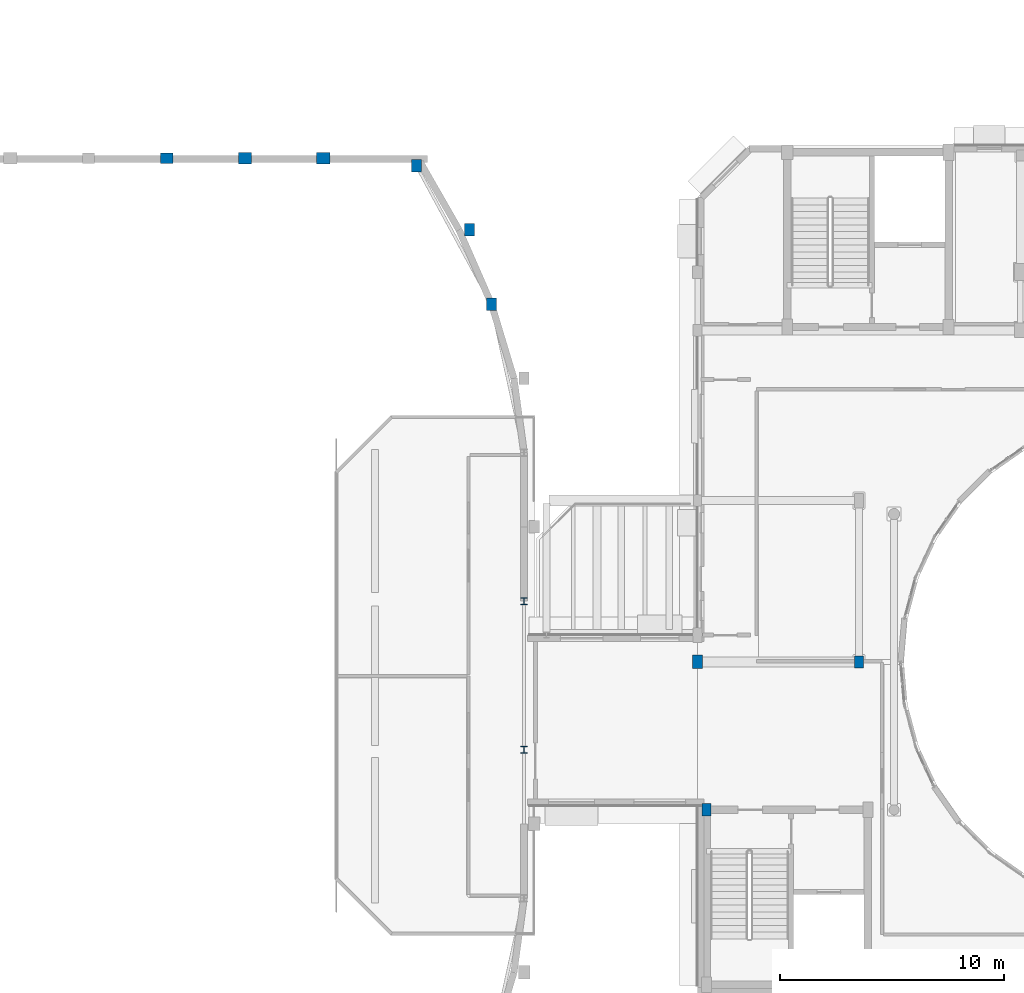
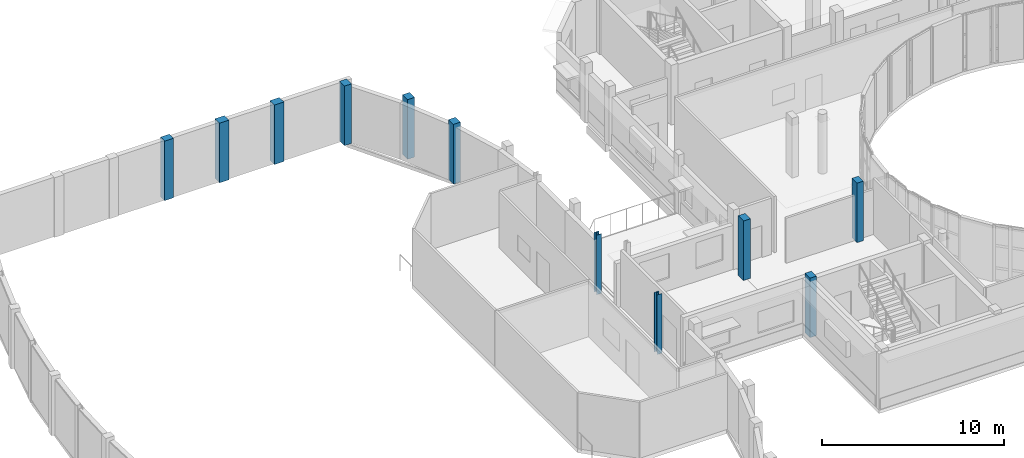
# One storey, part 5 of 92: 11 columns.
"""IFC4 building model written with IfcOpenShell, lengths in metres."""

from ifc_helpers import new_model, si_unit, direction, frame, origin, origin_2d, place, context, subcontext, project, spatial, rectangle, i_section, extrude, material, material_profile, profile_set, type_object, element, save


model = new_model("IFC4")

# Units and contexts
model_context = context("Model", 3, precision=1e-05, world=origin(), true_north=direction((0.0, 1.0)))
body_context = subcontext(model_context, "Body", "Model", "MODEL_VIEW")
ifc_project = project(units=[si_unit("LENGTHUNIT", "METRE"), si_unit("AREAUNIT", "SQUARE_METRE"), si_unit("VOLUMEUNIT", "CUBIC_METRE"), si_unit("PLANEANGLEUNIT", "RADIAN"), si_unit("MASSUNIT", "GRAM", prefix="KILO")], contexts=[model_context])

# Site, building, storey
site_placement = place(None, origin())
site = spatial("IfcSite", under=ifc_project, at=site_placement, CompositionType="ELEMENT")
building_placement = place(site_placement, origin())
building = spatial("IfcBuilding", under=site, at=building_placement, Name="Kelanivale Promenade Academy", CompositionType="ELEMENT")
storey_placement = place(building_placement, frame((0.0, 0.0, 8.199951171875)))
storey = spatial("IfcBuildingStorey", under=building, at=storey_placement, Name="L02", CompositionType="ELEMENT", Elevation=8.199951171875)

# Columns
ifc_material_1 = material(Name="Concrete C40/50", Category="concrete")
ifc_material_profile_1 = material_profile(ifc_material_1, rectangle(XDim=0.39990234375, YDim=0.550048828125, at=origin_2d()), Name="RC-COL 400x550")
ifc_profile_set_1 = profile_set([ifc_material_profile_1], Name="Concrete C40/50")
column_type_1 = type_object("IfcColumnType", Name="C-07 RC-COL 400x550", PredefinedType="COLUMN", material=ifc_profile_set_1)
for number, where, z_axis, x_axis, name in (
    (1, (43.60009765625, 50.199951171875, 0.0), (0.0, 0.0, 1.0), (1.0, 0.0, 0.0), "Column C-07 at (43.6, 50.2) L02"),
    (2, (50.39990234375, 56.800048828125, 0.0), (0.0, 0.0, 1.0), (1.0, 0.0, 0.0), "Column C-07 at (50.4, 56.8) L02"),
):
    element("IfcColumn", number, at=place(storey_placement, frame(where, z_axis=z_axis, x_axis=x_axis)), inside=storey, type_object=column_type_1, Name=name, PredefinedType="COLUMN", context=body_context, shape_type="SweptSolid", body=[
        extrude(rectangle(XDim=0.39990234375, YDim=0.550048828125, at=origin_2d()), origin(), (0.0, 0.0, 1.0), 4.0),
    ])
ifc_material_profile_2 = material_profile(ifc_material_1, rectangle(XDim=0.449951171875, YDim=0.60009765625, at=origin_2d()), Name="RC-COL 450x600")
ifc_profile_set_2 = profile_set([ifc_material_profile_2], Name="Concrete C40/50")
column_type_2 = type_object("IfcColumnType", Name="C-09 RC-COL 450x600", PredefinedType="COLUMN", material=ifc_profile_set_2)
column_placement = place(storey_placement, frame((43.199951171875, 56.800048828125, 0.0), z_axis=(0.0, 0.0, 1.0), x_axis=(1.0, 0.0, 0.0)))
element("IfcColumn", 3, at=column_placement, inside=storey, type_object=column_type_2, Name="Column C-09 at (43.2, 56.8) L02", PredefinedType="COLUMN", context=body_context, shape_type="SweptSolid", body=[
    extrude(rectangle(XDim=0.449951171875, YDim=0.60009765625, at=origin_2d()), origin(), (0.0, 0.0, 1.0), 4.0),
])
ifc_material_profile_3 = material_profile(ifc_material_1, rectangle(XDim=0.449951171875, YDim=0.550048828125, at=origin_2d()), Name="RC-PIL 450x550")
ifc_profile_set_3 = profile_set([ifc_material_profile_3], Name="Concrete C40/50")
column_type_3 = type_object("IfcColumnType", Name="PL-17 RC-PIL 450x550", PredefinedType="PILASTER", material=ifc_profile_set_3)
for number, where, z_axis, x_axis, name in (
    (4, (19.506103515625, 79.280029296875, 0.0), (0.0, 0.0, 1.0), (0.0, 1.0, 0.0), "Column PL-17 at (19.5, 79.3) L02"),
    (5, (30.64990234375, 78.949951171875, 0.0), (0.0, 0.0, 1.0), (1.0, 0.0, 0.0), "Column PL-17 at (30.6, 79.0) L02"),
    (6, (33.010009765625, 76.0859375, 0.0), (0.0, 0.0, 1.0), (1.0, 0.0, 0.0), "Column PL-17 at (33.0, 76.1) L02"),
    (7, (34.0, 72.77099609375, 0.0), (0.0, 0.0, 1.0), (1.0, 0.0, 0.0), "Column PL-17 at (34.0, 72.8) L02"),
):
    element("IfcColumn", number, at=place(storey_placement, frame(where, z_axis=z_axis, x_axis=x_axis)), inside=storey, type_object=column_type_3, Name=name, PredefinedType="PILASTER", context=body_context, shape_type="SweptSolid", body=[
        extrude(rectangle(XDim=0.449951171875, YDim=0.550048828125, at=origin_2d()), origin(), (0.0, 0.0, 1.0), 4.0),
    ])
ifc_material_profile_4 = material_profile(ifc_material_1, rectangle(XDim=0.5, YDim=0.60009765625, at=origin_2d()), Name="RC-PIL 500x600")
ifc_profile_set_4 = profile_set([ifc_material_profile_4], Name="Concrete C40/50")
column_type_4 = type_object("IfcColumnType", Name="PL-18 RC-PIL 500x600", PredefinedType="PILASTER", material=ifc_profile_set_4)
for number, where, z_axis, x_axis, name in (
    (8, (22.9990234375, 79.280029296875, 0.0), (0.0, 0.0, 1.0), (0.0, 1.0, 0.0), "Column PL-18 at (23.0, 79.3) L02"),
    (9, (26.491943359375, 79.280029296875, 0.0), (0.0, 0.0, 1.0), (0.0, 1.0, 0.0), "Column PL-18 at (26.5, 79.3) L02"),
):
    element("IfcColumn", number, at=place(storey_placement, frame(where, z_axis=z_axis, x_axis=x_axis)), inside=storey, type_object=column_type_4, Name=name, PredefinedType="PILASTER", context=body_context, shape_type="SweptSolid", body=[
        extrude(rectangle(XDim=0.5, YDim=0.60009765625, at=origin_2d()), origin(), (0.0, 0.0, 1.0), 4.0),
    ])
ifc_material_2 = material(Name="Steel S355", Category="steel")
ifc_material_profile_5 = material_profile(ifc_material_2, i_section(OverallWidth=0.307373046875, OverallDepth=0.314453125, WebThickness=0.011962890625, FlangeThickness=0.018798828125, FilletRadius=0.01513671875, at=origin_2d()), Name="UC 305x305x118")
ifc_profile_set_5 = profile_set([ifc_material_profile_5], Name="Steel S355")
column_type_5 = type_object("IfcColumnType", Name="SC-04 UC 305x305x118", PredefinedType="COLUMN", material=ifc_profile_set_5)
for number, where, z_axis, x_axis, name in (
    (10, (35.449951171875, 52.885986328125, 0.0), (0.0, 0.0, 1.0), (1.0, 0.0, 0.0), "Column SC-04 at (35.5, 52.9) L02"),
    (11, (35.449951171875, 59.513916015625, 0.0), (0.0, 0.0, 1.0), (1.0, 0.0, 0.0), "Column SC-04 at (35.5, 59.5) L02"),
):
    element("IfcColumn", number, at=place(storey_placement, frame(where, z_axis=z_axis, x_axis=x_axis)), inside=storey, type_object=column_type_5, Name=name, PredefinedType="COLUMN", context=body_context, shape_type="SweptSolid", body=[
        extrude(i_section(OverallWidth=0.307373046875, OverallDepth=0.314453125, WebThickness=0.011962890625, FlangeThickness=0.018798828125, FilletRadius=0.01513671875, at=origin_2d()), origin(), (0.0, 0.0, 1.0), 4.0),
    ])

save(model, "model.ifc")
